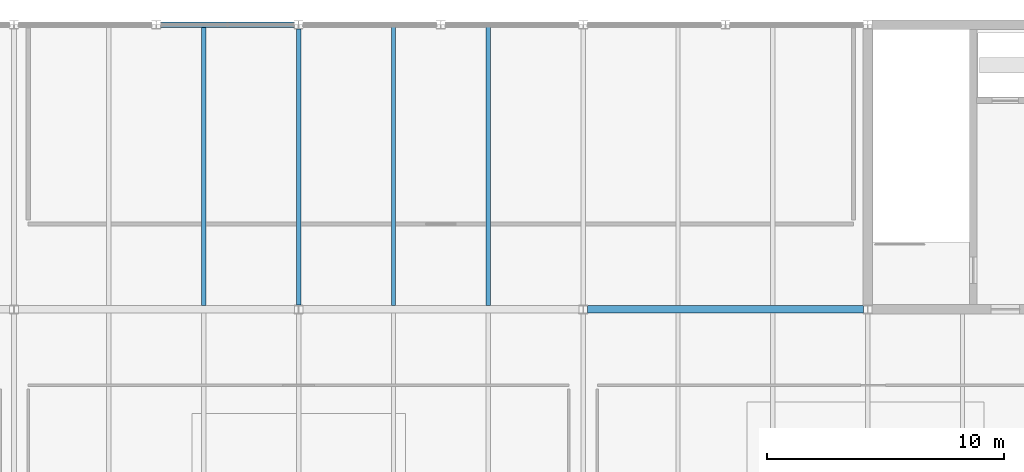
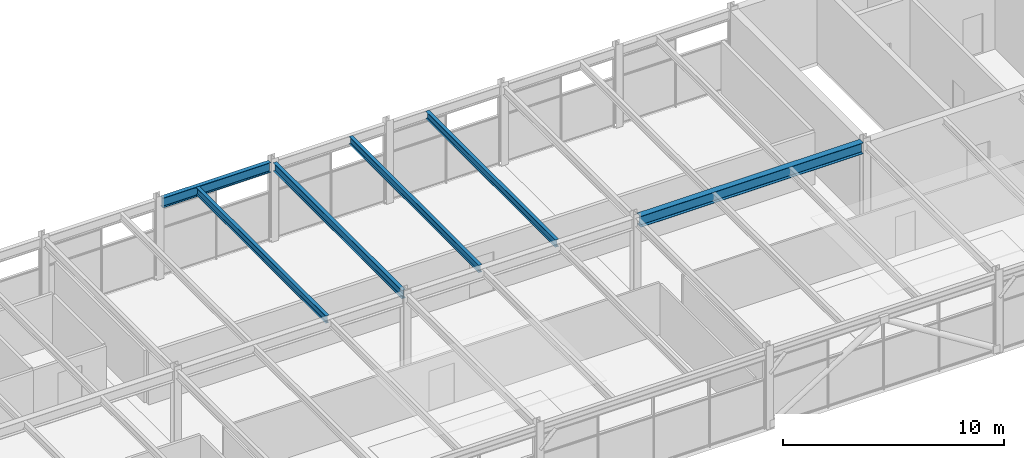
# One storey, part 19 of 28: 6 beams.
"""IFC4 building model written with IfcOpenShell, lengths in metres."""

from ifc_helpers import new_model, si_unit, direction, frame, origin, origin_2d, place, context, subcontext, project, spatial, i_section, extrude, material, material_profile, profile_set, type_object, element, save


model = new_model("IFC4")

# Units and contexts
model_context = context("Model", 3, precision=1e-05, world=origin(), true_north=direction((0.0, 1.0)))
body_context = subcontext(model_context, "Body", "Model", "MODEL_VIEW")
ifc_project = project(units=[si_unit("LENGTHUNIT", "METRE"), si_unit("AREAUNIT", "SQUARE_METRE"), si_unit("VOLUMEUNIT", "CUBIC_METRE"), si_unit("PLANEANGLEUNIT", "RADIAN"), si_unit("MASSUNIT", "GRAM", prefix="KILO")], contexts=[model_context])

# Site, building, storey
site_placement = place(None, origin())
site = spatial("IfcSite", under=ifc_project, at=site_placement, CompositionType="ELEMENT")
building_placement = place(site_placement, origin())
building = spatial("IfcBuilding", under=site, at=building_placement, Name="Girod Span Mobility Hub", CompositionType="ELEMENT")
storey_placement = place(building_placement, frame((0.0, 0.0, 69.60009765625)))
storey = spatial("IfcBuildingStorey", under=building, at=storey_placement, Name="L17", CompositionType="ELEMENT", Elevation=69.60009765625)

# Beams
ifc_material_1 = material(Name="Steel A992 Grade 50", Category="steel")
ifc_material_profile_1 = material_profile(ifc_material_1, i_section(OverallWidth=0.178955078125, OverallDepth=0.409912109375, WebThickness=0.0087890625, FlangeThickness=0.014404296875, FilletRadius=0.012939453125, at=origin_2d()), Name="W16X45")
ifc_profile_set_1 = profile_set([ifc_material_profile_1], Name="Steel A992 Grade 50")
beam_type_1 = type_object("IfcBeamType", Name="BM-STL-W16X45", PredefinedType="BEAM", material=ifc_profile_set_1)
for number, where, z_axis, x_axis, name in (
    (1, (80.0, 57.158935546875, 4.1748046875), (0.0, 1.0, 0.0), (-1.0, 0.0, 0.0), "Composite Floorbeam 7/E-2 L17"),
    (2, (88.0, 57.158935546875, 4.1748046875), (0.0, 1.0, 0.0), (-1.0, 0.0, 0.0), "Composite Floorbeam 8/E-1 L17"),
    (3, (92.0, 57.158935546875, 4.1748046875), (0.0, 1.0, 0.0), (-1.0, 0.0, 0.0), "Composite Floorbeam 8/E-2 L17"),
):
    element("IfcBeam", number, at=place(storey_placement, frame(where, z_axis=z_axis, x_axis=x_axis)), inside=storey, type_object=beam_type_1, Name=name, PredefinedType="BEAM", context=body_context, shape_type="SweptSolid", body=[
        extrude(i_section(OverallWidth=0.178955078125, OverallDepth=0.409912109375, WebThickness=0.0087890625, FlangeThickness=0.014404296875, FilletRadius=0.012939453125, at=origin_2d()), origin(), (0.0, 0.0, 1.0), 11.738037109375),
    ])
ifc_material_2 = material(Name="Steel A992 Grade 50", Category="steel")
ifc_material_profile_2 = material_profile(ifc_material_2, i_section(OverallWidth=0.19189453125, OverallDepth=0.462890625, WebThickness=0.010498046875, FlangeThickness=0.017578125, FilletRadius=0.013916015625, at=origin_2d()), Name="W18X60")
ifc_profile_set_2 = profile_set([ifc_material_profile_2], Name="Steel A992 Grade 50")
beam_type_2 = type_object("IfcBeamType", Name="BM-STL-W18X60", PredefinedType="BEAM", material=ifc_profile_set_2)
beam_1_placement = place(storey_placement, frame((84.0, 57.175048828125, 4.1484375), z_axis=(0.0, 1.0, 0.0), x_axis=(-1.0, 0.0, 0.0)))
element("IfcBeam", 4, at=beam_1_placement, inside=storey, type_object=beam_type_2, Name="Tie Girder 8/E-F L17", PredefinedType="BEAM", context=body_context, shape_type="SweptSolid", body=[
    extrude(i_section(OverallWidth=0.19189453125, OverallDepth=0.462890625, WebThickness=0.010498046875, FlangeThickness=0.017578125, FilletRadius=0.013916015625, at=origin_2d()), origin(), (0.0, 0.0, 1.0), 11.64990234375),
])
ifc_material_3 = material(Name="Steel A992 Grade 50", Category="steel")
ifc_material_profile_3 = material_profile(ifc_material_3, i_section(OverallWidth=0.2119140625, OverallDepth=0.5439453125, WebThickness=0.01318359375, FlangeThickness=0.021240234375, FilletRadius=0.014892578125, at=origin_2d()), Name="W21X83")
ifc_profile_set_3 = profile_set([ifc_material_profile_3], Name="Steel A992 Grade 50")
beam_type_3 = type_object("IfcBeamType", Name="BM-STL-W21X83", PredefinedType="SPANDREL", material=ifc_profile_set_3)
beam_2_placement = place(storey_placement, frame((78.181396484375, 69.0, 4.10791015625), z_axis=(1.0, 0.0, 0.0), x_axis=(0.0, 1.0, 0.0)))
element("IfcBeam", 5, at=beam_2_placement, inside=storey, type_object=beam_type_3, Name="Spandrel Beam 7-8/F-E L17", PredefinedType="SPANDREL", context=body_context, shape_type="SweptSolid", body=[
    extrude(i_section(OverallWidth=0.2119140625, OverallDepth=0.5439453125, WebThickness=0.01318359375, FlangeThickness=0.021240234375, FilletRadius=0.014892578125, at=origin_2d()), origin(), (0.0, 0.0, 1.0), 5.63720703125),
])
ifc_material_4 = material(Name="Steel A992 Grade 50", Category="steel")
ifc_material_profile_4 = material_profile(ifc_material_4, i_section(OverallWidth=0.323974609375, OverallDepth=0.611083984375, WebThickness=0.0126953125, FlangeThickness=0.01904296875, FilletRadius=0.014892578125, at=origin_2d()), Name="W24X104")
ifc_profile_set_4 = profile_set([ifc_material_profile_4], Name="Steel A992 Grade 50")
beam_type_4 = type_object("IfcBeamType", Name="BM-STL-W24X104", PredefinedType="BEAM", material=ifc_profile_set_4)
beam_3_placement = place(storey_placement, frame((96.181396484375, 57.0, 4.074462890625), z_axis=(1.0, 0.0, 0.0), x_axis=(0.0, 1.0, 0.0)))
element("IfcBeam", 6, at=beam_3_placement, inside=storey, type_object=beam_type_4, Name="Girder 9-10/E L17", PredefinedType="BEAM", context=body_context, shape_type="SweptSolid", body=[
    extrude(i_section(OverallWidth=0.323974609375, OverallDepth=0.611083984375, WebThickness=0.0126953125, FlangeThickness=0.01904296875, FilletRadius=0.014892578125, at=origin_2d()), origin(), (0.0, 0.0, 1.0), 11.63720703125),
])

save(model, "model.ifc")
